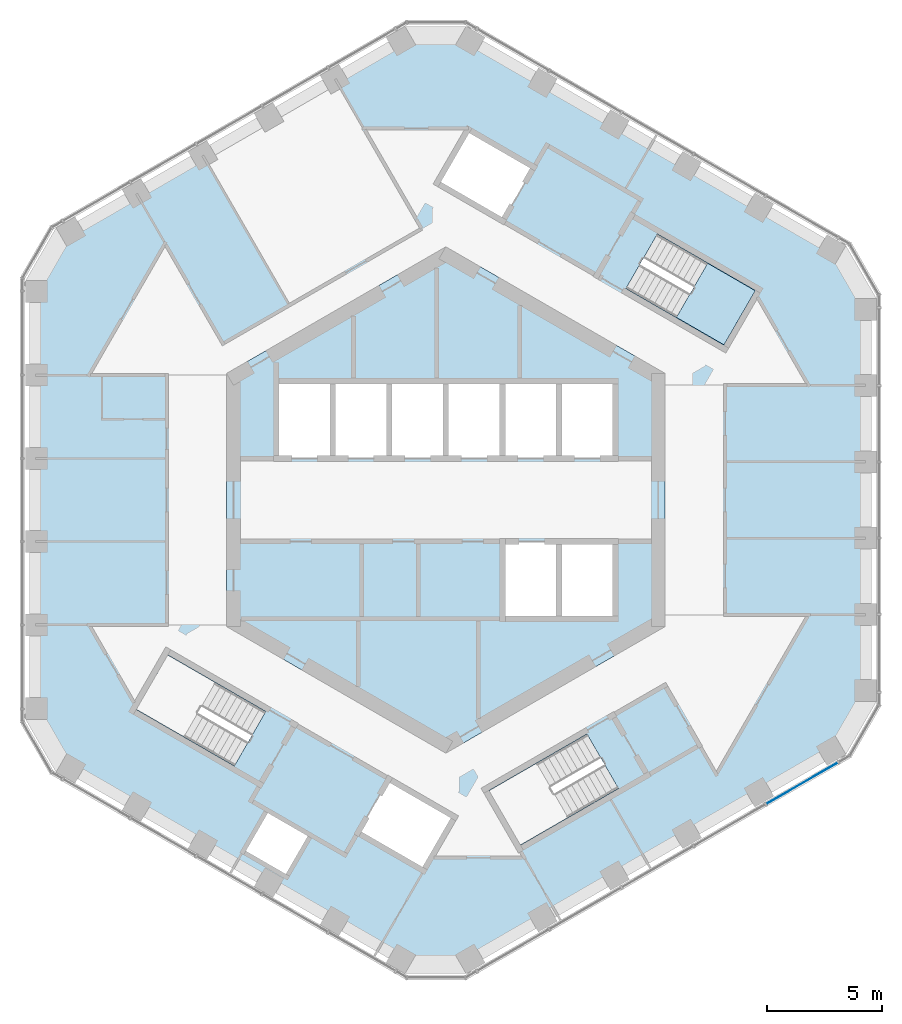
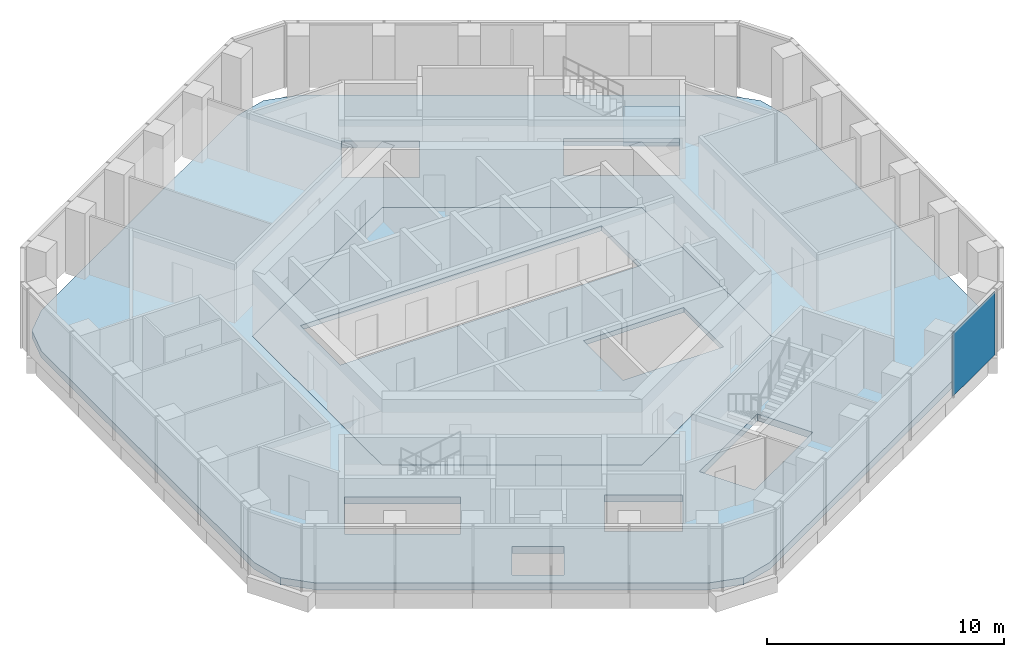
# One storey, part 10 of 18: 3 slabs, 1 plate, 2 elements without a shape of their own.
"""IFC4 building model written with IfcOpenShell, lengths in metres."""

from ifc_helpers import new_model, si_unit, direction, frame, origin, origin_2d, place, context, subcontext, project, spatial, polyline, rectangle, outline, extrude, material, layer, layer_set, type_object, element, aggregate, save


model = new_model("IFC4")

# Units and contexts
model_context = context("Model", 3, precision=1e-05, world=origin(), true_north=direction((0.0, 1.0)))
body_context = subcontext(model_context, "Body", "Model", "MODEL_VIEW")
ifc_project = project(units=[si_unit("LENGTHUNIT", "METRE"), si_unit("AREAUNIT", "SQUARE_METRE"), si_unit("VOLUMEUNIT", "CUBIC_METRE"), si_unit("PLANEANGLEUNIT", "RADIAN"), si_unit("MASSUNIT", "GRAM", prefix="KILO")], contexts=[model_context])

# Site, building, storey
site_placement = place(None, origin())
site = spatial("IfcSite", under=ifc_project, at=site_placement, CompositionType="ELEMENT")
building_placement = place(site_placement, origin())
building = spatial("IfcBuilding", under=site, at=building_placement, Name="Ayvan Gate Tower", CompositionType="ELEMENT")
storey_placement = place(building_placement, frame((0.0, 0.0, 176.5)))
storey = spatial("IfcBuildingStorey", under=building, at=storey_placement, Name="L47", CompositionType="ELEMENT", Elevation=176.5)

# Slabs
ifc_material_1 = material(Name="Concrete C40/50", Category="concrete")
ifc_layer_1 = layer(ifc_material_1, 0.35009765625)
ifc_layer_set_1 = layer_set([ifc_layer_1], Name="Concrete C40/50")
slab_type_1 = type_object("IfcSlabType", Name="Post-tensioned flat slab 350", PredefinedType="FLOOR", material=ifc_layer_set_1)
slab_1_placement = place(storey_placement, frame((0.0, 0.0, -0.35009765625)))
element("IfcSlab", 1, at=slab_1_placement, inside=storey, type_object=slab_type_1, Name="SL-L47", PredefinedType="FLOOR", context=body_context, shape_type="SweptSolid", body=[
    extrude(outline(polyline([(-0.41552734375, -20.296142578125), (-1.91552734375, -19.89404296875), (-16.27099609375, -11.60595703125), (-17.369140625, -10.5078125), (-17.77099609375, -9.0078125), (-17.77099609375, 9.0078125), (-17.369140625, 10.5078125), (-16.27099609375, 11.60595703125), (-1.91552734375, 19.89404296875), (-0.41552734375, 20.296142578125), (1.08447265625, 19.89404296875), (16.6865234375, 10.88623046875), (17.78466796875, 9.788330078125), (18.1865234375, 8.288330078125), (18.1865234375, -8.288330078125), (17.78466796875, -9.788330078125), (16.6865234375, -10.88623046875), (1.08447265625, -19.89404296875), (-0.41552734375, -20.296142578125)]), holes=[polyline([(13.404541015625, 9.0673828125), (9.1611328125, 11.517578125), (7.80615234375, 9.170654296875), (12.049560546875, 6.720458984375), (13.404541015625, 9.0673828125)]), polyline([(0.0, 10.9697265625), (-9.5, 5.48486328125), (-9.5, -5.48486328125), (0.0, -10.9697265625), (9.5, -5.48486328125), (9.5, 5.48486328125), (0.0, 10.9697265625)]), polyline([(3.228759765625, -14.9423828125), (7.472412109375, -12.492431640625), (6.117431640625, -10.1455078125), (1.873779296875, -12.595458984375), (3.228759765625, -14.9423828125)]), polyline([(0.964599609375, 16.07080078125), (-0.385498046875, 13.732421875), (2.472412109375, 12.08251953125), (3.822509765625, 14.420654296875), (0.964599609375, 16.07080078125)]), polyline([(0.385498046875, -13.732421875), (-2.472412109375, -12.08251953125), (-3.822509765625, -14.420654296875), (-0.964599609375, -16.07080078125), (-0.6328125, -15.49609375), (0.385498046875, -13.732421875)]), polyline([(-6.894775390625, -16.342041015625), (-5.8447265625, -14.5234375), (-7.75, -13.42333984375), (-8.800048828125, -15.241943359375), (-6.894775390625, -16.342041015625)]), polyline([(-7.80615234375, -9.170654296875), (-12.049560546875, -6.720458984375), (-13.404541015625, -9.0673828125), (-9.1611328125, -11.517578125), (-7.80615234375, -9.170654296875)])]), origin(), (0.0, 0.0, 1.0), 0.35009765625),
])
ifc_layer_2 = layer(ifc_material_1, 0.25)
ifc_layer_set_2 = layer_set([ifc_layer_2], Name="Concrete C40/50")
slab_type_2 = type_object("IfcSlabType", Name="SL-CORE-250", PredefinedType="FLOOR", material=ifc_layer_set_2)
slab_2_placement = place(storey_placement, frame((0.0, 0.0, -0.25)))
element("IfcSlab", 2, at=slab_2_placement, inside=storey, type_object=slab_type_2, Name="CS-L47", PredefinedType="FLOOR", context=body_context, shape_type="SweptSolid", body=[
    extrude(outline(polyline([(9.5, -5.48486328125), (0.0, -10.9697265625), (-9.5, -5.48486328125), (-9.5, 5.48486328125), (0.0, 10.9697265625), (9.5, 5.48486328125), (9.5, -5.48486328125)]), holes=[polyline([(-7.35009765625, 5.14990234375), (-7.35009765625, 1.800048828125), (7.35009765625, 1.800048828125), (7.35009765625, 5.14990234375), (-7.35009765625, 5.14990234375)]), polyline([(2.449951171875, -1.800048828125), (2.449951171875, -5.14990234375), (7.35009765625, -5.14990234375), (7.35009765625, -1.800048828125), (2.449951171875, -1.800048828125)])]), origin(), (0.0, 0.0, 1.0), 0.25),
])

# Stair, slab
stair_type = type_object("IfcStairType", Name="ST-EXIT", PredefinedType="HALF_TURN_STAIR", material=ifc_material_1)
stair_placement = place(storey_placement, origin())
stair = element("IfcStair", 3, at=stair_placement, inside=storey, type_object=stair_type, Name="L47 Exit Stair S1", PredefinedType="HALF_TURN_STAIR")
ifc_layer_3 = layer(ifc_material_1, 0.199951171875)
ifc_layer_set_3 = layer_set([ifc_layer_3], Name="Concrete C40/50")
slab_type_3 = type_object("IfcSlabType", Name="SL-LANDING-200", PredefinedType="LANDING", material=ifc_layer_set_3)
slab_3_placement = place(storey_placement, frame((0.0, 0.0, 1.5)))
slab_3 = element("IfcSlab", 4, at=slab_3_placement, type_object=slab_type_3, Name="STS1 landing 1", PredefinedType="LANDING", context=body_context, shape_type="SweptSolid", body=[
    extrude(outline(polyline([(9.988525390625, 7.91064453125), (12.049560546875, 6.720458984375), (13.404541015625, 9.0673828125), (11.343505859375, 10.257568359375), (9.988525390625, 7.91064453125)])), origin(), (0.0, 0.0, 1.0), 0.199951171875),
])
aggregate(stair, [slab_3])

# Curtain wall, plate
ifc_material_2 = material(Name="Bronze anodised aluminium", Category="aluminium")
ifc_layer_4 = layer(ifc_material_2, 0.199951171875)
ifc_layer_set_4 = layer_set([ifc_layer_4], Name="Bronze anodised aluminium")
curtain_wall_type = type_object("IfcCurtainWallType", Name="Stick curtain wall CW-2", PredefinedType="NOTDEFINED", material=ifc_layer_set_4)
curtain_wall_placement = place(storey_placement, origin())
curtain_wall = element("IfcCurtainWall", 5, at=curtain_wall_placement, inside=storey, type_object=curtain_wall_type, Name="Stick curtain wall CW-2 L47", PredefinedType="NOTDEFINED")
ifc_material_3 = material(Name="Clear low-iron laminated glass", Category="glass")
ifc_layer_5 = layer(ifc_material_3, 0.028076171875)
ifc_layer_set_5 = layer_set([ifc_layer_5], Name="Clear low-iron laminated glass")
plate_type = type_object("IfcPlateType", Name="Stick curtain wall CW-2 glass panel", PredefinedType="CURTAIN_PANEL", material=ifc_layer_set_5)
plate_placement = place(storey_placement, frame((15.450927734375, -12.263671875, 0.0), z_axis=(0.0, 0.0, 1.0), x_axis=(0.866025403784, 0.5, 0.0)))
plate = element("IfcPlate", 6, at=plate_placement, type_object=plate_type, Name="CW-2 glass panel 5", PredefinedType="CURTAIN_PANEL", context=body_context, shape_type="SweptSolid", body=[
    extrude(rectangle(XDim=3.598876953125, YDim=0.028076171875, at=origin_2d()), origin(), (0.0, 0.0, 1.0), 3.280029296875),
])
aggregate(curtain_wall, [plate])

save(model, "model.ifc")
